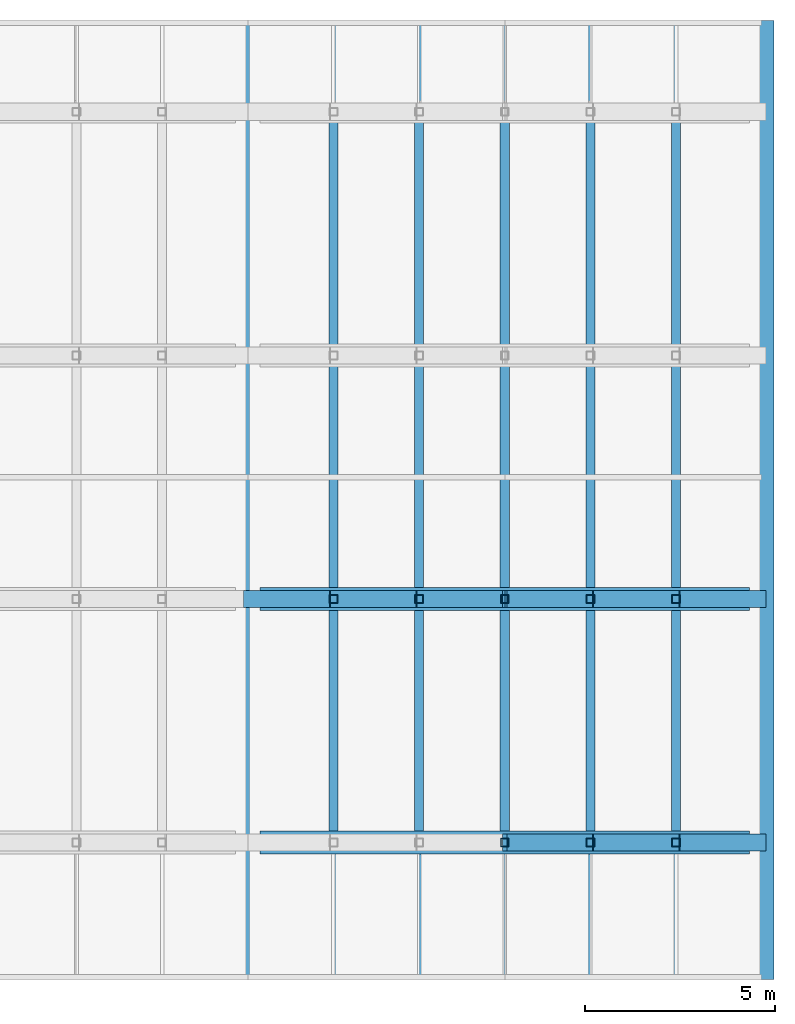
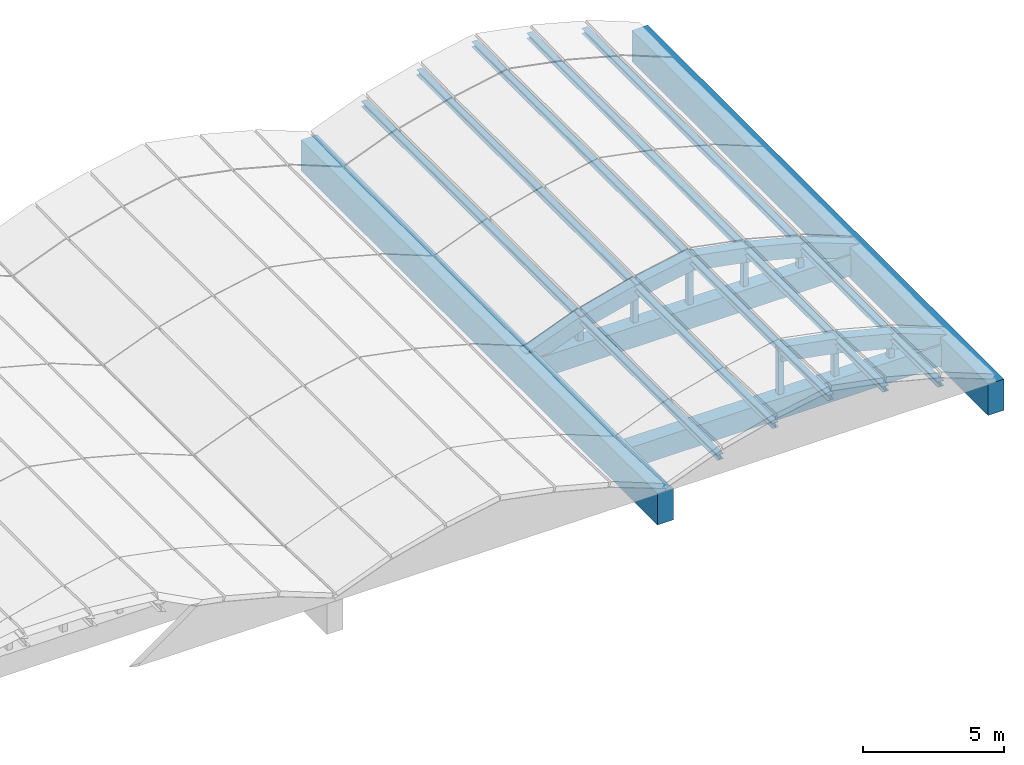
# One storey, part 9 of 15: 13 beams, 13 members.
"""IFC4 building model written with IfcOpenShell, lengths in metres."""

from ifc_helpers import new_model, si_unit, direction, frame, origin, origin_2d, place, context, subcontext, project, spatial, rectangle, hollow_rectangle, i_section, extrude, material, material_profile, profile_set, type_object, element, save


model = new_model("IFC4")

# Units and contexts
model_context = context("Model", 3, precision=1e-05, world=origin(), true_north=direction((0.0, 1.0)))
body_context = subcontext(model_context, "Body", "Model", "MODEL_VIEW")
ifc_project = project(units=[si_unit("LENGTHUNIT", "METRE"), si_unit("AREAUNIT", "SQUARE_METRE"), si_unit("VOLUMEUNIT", "CUBIC_METRE"), si_unit("PLANEANGLEUNIT", "RADIAN"), si_unit("MASSUNIT", "GRAM", prefix="KILO")], contexts=[model_context])

# Site, building, storey
site_placement = place(None, origin())
site = spatial("IfcSite", under=ifc_project, at=site_placement, CompositionType="ELEMENT")
building_placement = place(site_placement, origin())
building = spatial("IfcBuilding", under=site, at=building_placement, Name="Fikremerkos Civic Library", CompositionType="ELEMENT")
storey_placement = place(building_placement, frame((0.0, 0.0, 27.89990234375)))
storey = spatial("IfcBuildingStorey", under=building, at=storey_placement, Name="RF", CompositionType="ELEMENT", Elevation=27.89990234375)

# Members
ifc_material_1 = material(Name="Steel S355", Category="steel")
ifc_material_profile_1 = material_profile(ifc_material_1, hollow_rectangle(XDim=0.219970703125, YDim=0.219970703125, WallThickness=0.012451171875, at=origin_2d()), Name="SHS 220x220x12.5")
ifc_profile_set_1 = profile_set([ifc_material_profile_1], Name="Steel S355")
member_type_1 = type_object("IfcMemberType", Name="Frame post PST-04 SHS 220x220x12.5", PredefinedType="POST", material=ifc_profile_set_1)
member_1_placement = place(storey_placement, frame((106.949951171875, 12.0, -0.75), z_axis=(0.0, 0.0, 1.0), x_axis=(1.0, 0.0, 0.0)))
element("IfcMember", 1, at=member_1_placement, inside=storey, type_object=member_type_1, Name="Vault tied-arch web post PST-04 V7 R1.3", PredefinedType="POST", context=body_context, shape_type="SweptSolid", body=[
    extrude(hollow_rectangle(XDim=0.219970703125, YDim=0.219970703125, WallThickness=0.012451171875, at=origin_2d()), origin(), (0.0, 0.0, 1.0), 2.43408203125),
])
member_2_placement = place(storey_placement, frame((109.199951171875, 12.0, -0.75), z_axis=(0.0, 0.0, 1.0), x_axis=(1.0, 0.0, 0.0)))
element("IfcMember", 2, at=member_2_placement, inside=storey, type_object=member_type_1, Name="Vault tied-arch web post PST-04 V7 R1.4", PredefinedType="POST", context=body_context, shape_type="SweptSolid", body=[
    extrude(hollow_rectangle(XDim=0.219970703125, YDim=0.219970703125, WallThickness=0.012451171875, at=origin_2d()), origin(), (0.0, 0.0, 1.0), 2.01416015625),
])
member_3_placement = place(storey_placement, frame((111.449951171875, 12.0, -0.75), z_axis=(0.0, 0.0, 1.0), x_axis=(1.0, 0.0, 0.0)))
element("IfcMember", 3, at=member_3_placement, inside=storey, type_object=member_type_1, Name="Vault tied-arch web post PST-04 V7 R1.5", PredefinedType="POST", context=body_context, shape_type="SweptSolid", body=[
    extrude(hollow_rectangle(XDim=0.219970703125, YDim=0.219970703125, WallThickness=0.012451171875, at=origin_2d()), origin(), (0.0, 0.0, 1.0), 1.43603515625),
])
member_4_placement = place(storey_placement, frame((102.449951171875, 18.39990234375, -0.75), z_axis=(0.0, 0.0, 1.0), x_axis=(1.0, 0.0, 0.0)))
element("IfcMember", 4, at=member_4_placement, inside=storey, type_object=member_type_1, Name="Vault tied-arch web post PST-04 V7 R2.1", PredefinedType="POST", context=body_context, shape_type="SweptSolid", body=[
    extrude(hollow_rectangle(XDim=0.219970703125, YDim=0.219970703125, WallThickness=0.012451171875, at=origin_2d()), origin(), (0.0, 0.0, 1.0), 1.47607421875),
])
member_5_placement = place(storey_placement, frame((104.699951171875, 18.39990234375, -0.75), z_axis=(0.0, 0.0, 1.0), x_axis=(1.0, 0.0, 0.0)))
element("IfcMember", 5, at=member_5_placement, inside=storey, type_object=member_type_1, Name="Vault tied-arch web post PST-04 V7 R2.2", PredefinedType="POST", context=body_context, shape_type="SweptSolid", body=[
    extrude(hollow_rectangle(XDim=0.219970703125, YDim=0.219970703125, WallThickness=0.012451171875, at=origin_2d()), origin(), (0.0, 0.0, 1.0), 2.05419921875),
])
member_6_placement = place(storey_placement, frame((106.949951171875, 18.39990234375, -0.75), z_axis=(0.0, 0.0, 1.0), x_axis=(1.0, 0.0, 0.0)))
element("IfcMember", 6, at=member_6_placement, inside=storey, type_object=member_type_1, Name="Vault tied-arch web post PST-04 V7 R2.3", PredefinedType="POST", context=body_context, shape_type="SweptSolid", body=[
    extrude(hollow_rectangle(XDim=0.219970703125, YDim=0.219970703125, WallThickness=0.012451171875, at=origin_2d()), origin(), (0.0, 0.0, 1.0), 2.47412109375),
])
member_7_placement = place(storey_placement, frame((109.199951171875, 18.39990234375, -0.75), z_axis=(0.0, 0.0, 1.0), x_axis=(1.0, 0.0, 0.0)))
element("IfcMember", 7, at=member_7_placement, inside=storey, type_object=member_type_1, Name="Vault tied-arch web post PST-04 V7 R2.4", PredefinedType="POST", context=body_context, shape_type="SweptSolid", body=[
    extrude(hollow_rectangle(XDim=0.219970703125, YDim=0.219970703125, WallThickness=0.012451171875, at=origin_2d()), origin(), (0.0, 0.0, 1.0), 2.05419921875),
])
member_8_placement = place(storey_placement, frame((111.449951171875, 18.39990234375, -0.75), z_axis=(0.0, 0.0, 1.0), x_axis=(1.0, 0.0, 0.0)))
element("IfcMember", 8, at=member_8_placement, inside=storey, type_object=member_type_1, Name="Vault tied-arch web post PST-04 V7 R2.5", PredefinedType="POST", context=body_context, shape_type="SweptSolid", body=[
    extrude(hollow_rectangle(XDim=0.219970703125, YDim=0.219970703125, WallThickness=0.012451171875, at=origin_2d()), origin(), (0.0, 0.0, 1.0), 1.47607421875),
])

# Beams
ifc_material_2 = material(Name="Concrete C45/55", Category="concrete")
ifc_material_profile_2 = material_profile(ifc_material_2, rectangle(XDim=0.449951171875, YDim=0.6201171875, at=origin_2d()), Name="RC 450x620")
ifc_profile_set_2 = profile_set([ifc_material_profile_2], Name="Concrete C45/55")
beam_type_1 = type_object("IfcBeamType", Name="Primary girder vault arch rib BM-10 RC 450x620", PredefinedType="BEAM", material=ifc_profile_set_2)
beam_1_placement = place(storey_placement, frame((106.949951171875, 12.0, 1.494140625), z_axis=(0.983026405145, 0.0, -0.183464129432), x_axis=(0.0, 1.0, 0.0)))
element("IfcBeam", 9, at=beam_1_placement, inside=storey, type_object=beam_type_1, Name="Concrete vault arch rib BM-10 V7 R1.4", PredefinedType="BEAM", context=body_context, shape_type="SweptSolid", body=[
    extrude(rectangle(XDim=0.449951171875, YDim=0.6201171875, at=origin_2d()), origin(), (0.0, 0.0, 1.0), 2.288818359375),
])
beam_2_placement = place(storey_placement, frame((109.199951171875, 12.0, 1.07421875), z_axis=(0.968539266286, 0.0, -0.248860783698), x_axis=(0.0, 1.0, 0.0)))
element("IfcBeam", 10, at=beam_2_placement, inside=storey, type_object=beam_type_1, Name="Concrete vault arch rib BM-10 V7 R1.5", PredefinedType="BEAM", context=body_context, shape_type="SweptSolid", body=[
    extrude(rectangle(XDim=0.449951171875, YDim=0.6201171875, at=origin_2d()), origin(), (0.0, 0.0, 1.0), 2.322998046875),
])
for number, where, z_axis, x_axis, name in (
    (11, (111.449951171875, 12.0, 0.49609375), (0.936028311828, 0.0, -0.351924707084), (0.0, 1.0, 0.0), "Concrete vault arch rib BM-10 V7 R1.6"),
    (12, (100.199951171875, 18.39990234375, -0.309814453125), (0.936028311828, 0.0, 0.351924707084), (0.0, 1.0, 0.0), "Concrete vault arch rib BM-10 V7 R2.1"),
):
    element("IfcBeam", number, at=place(storey_placement, frame(where, z_axis=z_axis, x_axis=x_axis)), inside=storey, type_object=beam_type_1, Name=name, PredefinedType="BEAM", context=body_context, shape_type="SweptSolid", body=[
        extrude(rectangle(XDim=0.449951171875, YDim=0.6201171875, at=origin_2d()), origin(), (0.0, 0.0, 1.0), 2.40380859375),
    ])
beam_3_placement = place(storey_placement, frame((102.449951171875, 18.39990234375, 0.5361328125), z_axis=(0.968564592705, 0.0, 0.248762195197), x_axis=(0.0, 1.0, 0.0)))
element("IfcBeam", 13, at=beam_3_placement, inside=storey, type_object=beam_type_1, Name="Concrete vault arch rib BM-10 V7 R2.2", PredefinedType="BEAM", context=body_context, shape_type="SweptSolid", body=[
    extrude(rectangle(XDim=0.449951171875, YDim=0.6201171875, at=origin_2d()), origin(), (0.0, 0.0, 1.0), 2.322998046875),
])
for number, where, z_axis, x_axis, name in (
    (14, (104.699951171875, 18.39990234375, 1.114013671875), (0.983007163041, 0.0, 0.183567201345), (0.0, 1.0, 0.0), "Concrete vault arch rib BM-10 V7 R2.3"),
    (15, (106.949951171875, 18.39990234375, 1.5341796875), (0.983007163041, 0.0, -0.183567201345), (0.0, 1.0, 0.0), "Concrete vault arch rib BM-10 V7 R2.4"),
):
    element("IfcBeam", number, at=place(storey_placement, frame(where, z_axis=z_axis, x_axis=x_axis)), inside=storey, type_object=beam_type_1, Name=name, PredefinedType="BEAM", context=body_context, shape_type="SweptSolid", body=[
        extrude(rectangle(XDim=0.449951171875, YDim=0.6201171875, at=origin_2d()), origin(), (0.0, 0.0, 1.0), 2.288818359375),
    ])
beam_4_placement = place(storey_placement, frame((109.199951171875, 18.39990234375, 1.114013671875), z_axis=(0.968564592705, 0.0, -0.248762195197), x_axis=(0.0, 1.0, 0.0)))
element("IfcBeam", 16, at=beam_4_placement, inside=storey, type_object=beam_type_1, Name="Concrete vault arch rib BM-10 V7 R2.5", PredefinedType="BEAM", context=body_context, shape_type="SweptSolid", body=[
    extrude(rectangle(XDim=0.449951171875, YDim=0.6201171875, at=origin_2d()), origin(), (0.0, 0.0, 1.0), 2.322998046875),
])
beam_5_placement = place(storey_placement, frame((111.449951171875, 18.39990234375, 0.5361328125), z_axis=(0.936028311828, 0.0, -0.351924707084), x_axis=(0.0, 1.0, 0.0)))
element("IfcBeam", 17, at=beam_5_placement, inside=storey, type_object=beam_type_1, Name="Concrete vault arch rib BM-10 V7 R2.6", PredefinedType="BEAM", context=body_context, shape_type="SweptSolid", body=[
    extrude(rectangle(XDim=0.449951171875, YDim=0.6201171875, at=origin_2d()), origin(), (0.0, 0.0, 1.0), 2.40380859375),
])
ifc_material_profile_3 = material_profile(ifc_material_2, rectangle(XDim=0.60009765625, YDim=0.89990234375, at=origin_2d()), Name="RC 600x900")
ifc_profile_set_3 = profile_set([ifc_material_profile_3], Name="Concrete C45/55")
beam_type_2 = type_object("IfcBeamType", Name="Primary girder vault tie ring BM-09 RC 600x900", PredefinedType="BEAM", material=ifc_profile_set_3)
for number, where, z_axis, x_axis, name in (
    (18, (100.52490234375, 12.0, -0.75), (1.0, 0.0, 0.0), (0.0, 1.0, 0.0), "Vault springing tie ring beam BM-09 V7 #1"),
    (19, (100.52490234375, 18.39990234375, -0.75), (1.0, 0.0, 0.0), (0.0, 1.0, 0.0), "Vault springing tie ring beam BM-09 V7 #2"),
):
    element("IfcBeam", number, at=place(storey_placement, frame(where, z_axis=z_axis, x_axis=x_axis)), inside=storey, type_object=beam_type_2, Name=name, PredefinedType="BEAM", context=body_context, shape_type="SweptSolid", body=[
        extrude(rectangle(XDim=0.60009765625, YDim=0.89990234375, at=origin_2d()), origin(), (0.0, 0.0, 1.0), 12.85009765625),
    ])

# Members
ifc_material_profile_4 = material_profile(ifc_material_1, i_section(OverallWidth=0.239990234375, OverallDepth=0.22998046875, WebThickness=0.007568359375, FlangeThickness=0.011962890625, FilletRadius=0.02099609375, at=origin_2d()), Name="HEA 240")
ifc_profile_set_4 = profile_set([ifc_material_profile_4], Name="Steel S355")
member_type_2 = type_object("IfcMemberType", Name="Roof purlin PUR-06 HEA 240", PredefinedType="PURLIN", material=ifc_profile_set_4)
for number, where, z_axis, x_axis, name in (
    (20, (102.449951171875, 8.39990234375, 0.691162109375), (0.0, 1.0, 0.0), (-1.0, 0.0, 0.0), "Vault fold-line purlin PUR-06 V7 #1"),
    (21, (104.699951171875, 8.39990234375, 1.26904296875), (0.0, 1.0, 0.0), (-1.0, 0.0, 0.0), "Vault fold-line purlin PUR-06 V7 #2"),
    (22, (106.949951171875, 8.39990234375, 1.689208984375), (0.0, 1.0, 0.0), (-1.0, 0.0, 0.0), "Vault fold-line purlin PUR-06 V7 #3"),
    (23, (109.199951171875, 8.39990234375, 1.26904296875), (0.0, 1.0, 0.0), (-1.0, 0.0, 0.0), "Vault fold-line purlin PUR-06 V7 #4"),
    (24, (111.449951171875, 8.39990234375, 0.691162109375), (0.0, 1.0, 0.0), (-1.0, 0.0, 0.0), "Vault fold-line purlin PUR-06 V7 #5"),
):
    element("IfcMember", number, at=place(storey_placement, frame(where, z_axis=z_axis, x_axis=x_axis)), inside=storey, type_object=member_type_2, Name=name, PredefinedType="PURLIN", context=body_context, shape_type="SweptSolid", body=[
        extrude(i_section(OverallWidth=0.239990234375, OverallDepth=0.22998046875, WebThickness=0.007568359375, FlangeThickness=0.011962890625, FilletRadius=0.02099609375, at=origin_2d()), origin(), (0.0, 0.0, 1.0), 25.2001953125),
    ])

# Beams
ifc_material_profile_5 = material_profile(ifc_material_2, rectangle(XDim=0.64990234375, YDim=1.35009765625, at=origin_2d()), Name="RC 650x1350")
ifc_profile_set_5 = profile_set([ifc_material_profile_5], Name="Concrete C45/55")
beam_type_3 = type_object("IfcBeamType", Name="Spandrel edge beam valley SPB-01 RC 650x1350", PredefinedType="SPANDREL", material=ifc_profile_set_5)
for number, where, z_axis, x_axis, name in (
    (25, (100.199951171875, 8.39990234375, -0.6748046875), (0.0, 1.0, 0.0), (-1.0, 0.0, 0.0), "Reading hall concrete valley edge beam SPB-01 #7"),
    (26, (113.699951171875, 8.39990234375, -0.6748046875), (0.0, 1.0, 0.0), (-1.0, 0.0, 0.0), "Reading hall concrete valley edge beam SPB-01 #8"),
):
    element("IfcBeam", number, at=place(storey_placement, frame(where, z_axis=z_axis, x_axis=x_axis)), inside=storey, type_object=beam_type_3, Name=name, PredefinedType="SPANDREL", context=body_context, shape_type="SweptSolid", body=[
        extrude(rectangle(XDim=0.64990234375, YDim=1.35009765625, at=origin_2d()), origin(), (0.0, 0.0, 1.0), 25.2001953125),
    ])

save(model, "model.ifc")
